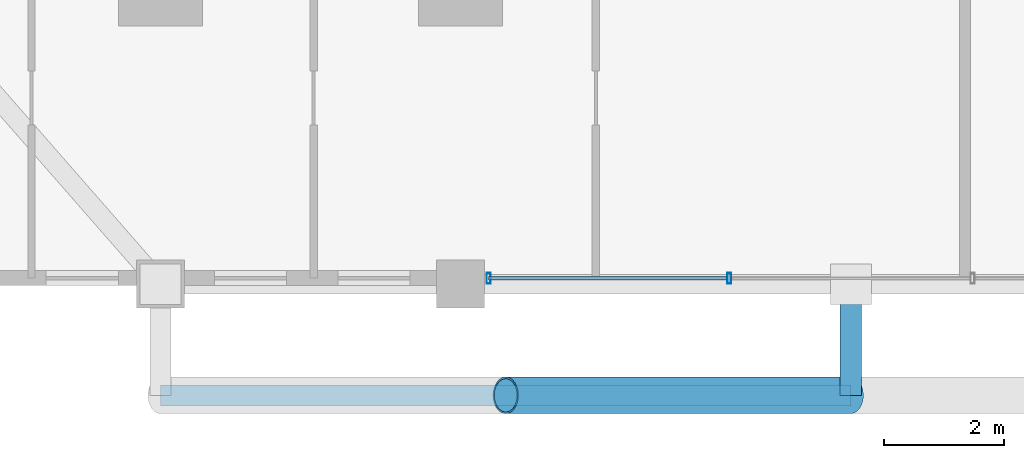
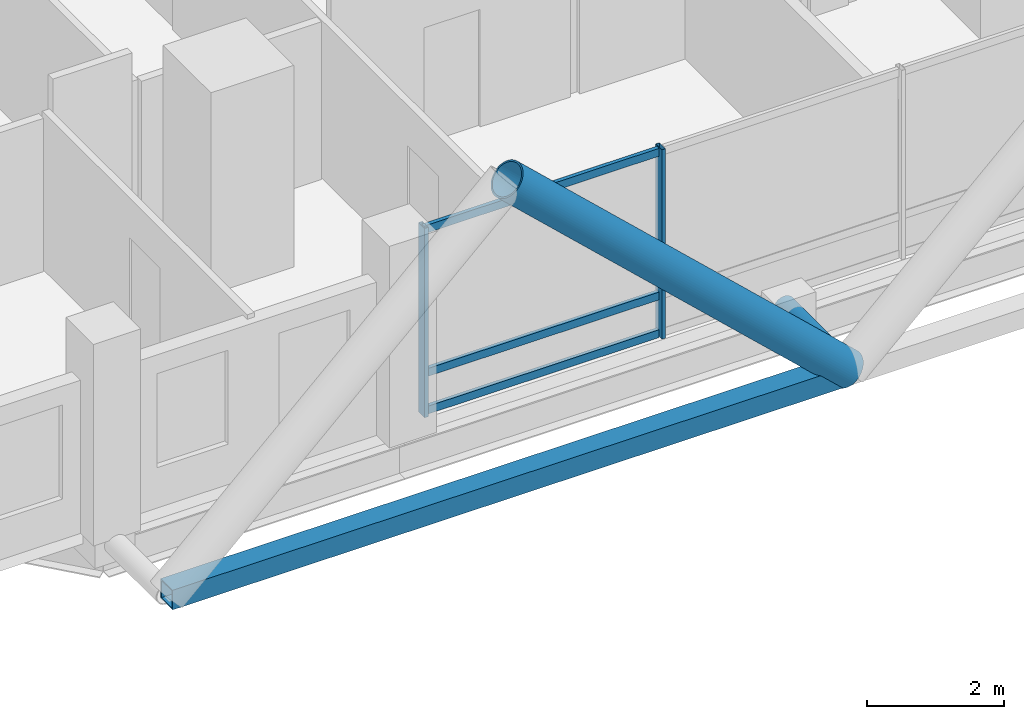
# One storey, part 2 of 27: 8 members, 1 element without a shape of its own.
"""IFC4 building model written with IfcOpenShell, lengths in metres."""

from ifc_helpers import new_model, si_unit, direction, frame, origin, origin_2d, place, context, subcontext, project, spatial, hollow_rectangle, hollow_circle, extrude, material, layer, layer_set, material_profile, profile_set, type_object, element, aggregate, save


model = new_model("IFC4")

# Units and contexts
model_context = context("Model", 3, precision=1e-05, world=origin(), true_north=direction((0.0, 1.0)))
body_context = subcontext(model_context, "Body", "Model", "MODEL_VIEW")
ifc_project = project(units=[si_unit("LENGTHUNIT", "METRE"), si_unit("AREAUNIT", "SQUARE_METRE"), si_unit("VOLUMEUNIT", "CUBIC_METRE"), si_unit("PLANEANGLEUNIT", "RADIAN"), si_unit("MASSUNIT", "GRAM", prefix="KILO")], contexts=[model_context])

# Site, building, storey
site_placement = place(None, origin())
site = spatial("IfcSite", under=ifc_project, at=site_placement, CompositionType="ELEMENT")
building_placement = place(site_placement, origin())
building = spatial("IfcBuilding", under=site, at=building_placement, Name="Barlavira Tower and Art Museum", CompositionType="ELEMENT")
storey_placement = place(building_placement, frame((0.0, 0.0, 50.39990234375)))
storey = spatial("IfcBuildingStorey", under=building, at=storey_placement, Name="L11", CompositionType="ELEMENT", Elevation=50.39990234375)

# Curtain wall, members
ifc_material_1 = material(Name="Low-iron coastal laminated glass", Category="glass")
ifc_layer = layer(ifc_material_1, 0.179931640625, Name="Low-iron coastal laminated glass")
ifc_layer_set = layer_set([ifc_layer], Name="Low-iron coastal laminated glass")
curtain_wall_type = type_object("IfcCurtainWallType", Name="Pale-Metal Unitised Curtain Wall Zone 1", PredefinedType="NOTDEFINED", material=ifc_layer_set)
curtain_wall_placement = place(storey_placement, origin())
curtain_wall = element("IfcCurtainWall", 1, at=curtain_wall_placement, inside=storey, type_object=curtain_wall_type, Name="L11 Curtain Wall CW1-L11-S-B3", PredefinedType="NOTDEFINED")
ifc_material_2 = material(Name="Pale anodised aluminium", Category="aluminium")
ifc_material_profile_1 = material_profile(ifc_material_2, hollow_rectangle(XDim=0.06494140625, YDim=0.179931640625, WallThickness=0.00390625, at=origin_2d()), Name="ALU-MULL 65x180x4")
ifc_profile_set_1 = profile_set([ifc_material_profile_1], Name="Pale anodised aluminium")
member_type_1 = type_object("IfcMemberType", Name="Curtain Wall Pale-Metal Mullion 65x180", PredefinedType="MULLION", material=ifc_profile_set_1)
member_1_placement = place(storey_placement, frame((-6.034912109375, -24.89990234375, 0.0), z_axis=(0.0, 0.0, 1.0), x_axis=(1.0, 0.0, 0.0)))
member_1 = element("IfcMember", 2, at=member_1_placement, type_object=member_type_1, Name="CW1-L11-S-B3 Mullion 0", PredefinedType="MULLION", context=body_context, shape_type="SweptSolid", body=[
    extrude(hollow_rectangle(XDim=0.06494140625, YDim=0.179931640625, WallThickness=0.00390625, at=origin_2d()), origin(), (0.0, 0.0, 1.0), 3.380126953125),
])
member_2_placement = place(storey_placement, frame((-2.026611328125, -24.89990234375, 0.0), z_axis=(0.0, 0.0, 1.0), x_axis=(1.0, 0.0, 0.0)))
member_2 = element("IfcMember", 3, at=member_2_placement, type_object=member_type_1, Name="CW1-L11-S-B3 Mullion 1", PredefinedType="MULLION", context=body_context, shape_type="SweptSolid", body=[
    extrude(hollow_rectangle(XDim=0.06494140625, YDim=0.179931640625, WallThickness=0.00390625, at=origin_2d()), origin(), (0.0, 0.0, 1.0), 3.380126953125),
])
ifc_material_profile_2 = material_profile(ifc_material_2, hollow_rectangle(XDim=0.06494140625, YDim=0.139892578125, WallThickness=0.00390625, at=origin_2d()), Name="ALU-TRAN 65x140x4")
ifc_profile_set_2 = profile_set([ifc_material_profile_2], Name="Pale anodised aluminium")
member_type_2 = type_object("IfcMemberType", Name="Curtain Wall Pale-Metal Transom 65x140", PredefinedType="USERDEFINED", material=ifc_profile_set_2)
member_3_placement = place(storey_placement, frame((-6.034912109375, -24.89990234375, 0.070068359375), z_axis=(1.0, 0.0, 0.0), x_axis=(0.0, 1.0, 0.0)))
member_3 = element("IfcMember", 4, at=member_3_placement, type_object=member_type_2, Name="CW1-L11-S-B3 Transom 0.1", ObjectType="TRANSOM", PredefinedType="USERDEFINED", context=body_context, shape_type="SweptSolid", body=[
    extrude(hollow_rectangle(XDim=0.06494140625, YDim=0.139892578125, WallThickness=0.00390625, at=origin_2d()), origin(), (0.0, 0.0, 1.0), 3.963134765625),
])
member_4_placement = place(storey_placement, frame((-6.034912109375, -24.89990234375, 0.744140625), z_axis=(1.0, 0.0, 0.0), x_axis=(0.0, 1.0, 0.0)))
member_4 = element("IfcMember", 5, at=member_4_placement, type_object=member_type_2, Name="CW1-L11-S-B3 Transom 0.2", ObjectType="TRANSOM", PredefinedType="USERDEFINED", context=body_context, shape_type="SweptSolid", body=[
    extrude(hollow_rectangle(XDim=0.06494140625, YDim=0.139892578125, WallThickness=0.00390625, at=origin_2d()), origin(), (0.0, 0.0, 1.0), 3.963134765625),
])
member_5_placement = place(storey_placement, frame((-6.034912109375, -24.89990234375, 3.31005859375), z_axis=(1.0, 0.0, 0.0), x_axis=(0.0, 1.0, 0.0)))
member_5 = element("IfcMember", 6, at=member_5_placement, type_object=member_type_2, Name="CW1-L11-S-B3 Transom 0.3", ObjectType="TRANSOM", PredefinedType="USERDEFINED", context=body_context, shape_type="SweptSolid", body=[
    extrude(hollow_rectangle(XDim=0.06494140625, YDim=0.139892578125, WallThickness=0.00390625, at=origin_2d()), origin(), (0.0, 0.0, 1.0), 3.963134765625),
])
aggregate(curtain_wall, [member_1, member_2, member_3, member_4, member_5])

# Members
ifc_material_3 = material(Name="Steel S355", Category="steel")
ifc_material_profile_3 = material_profile(ifc_material_3, hollow_circle(Radius=0.304931640625, WallThickness=0.028076171875, at=origin_2d()), Name="CHS 610.0x28.0")
ifc_profile_set_3 = profile_set([ifc_material_profile_3], Name="Steel S355")
member_type_3 = type_object("IfcMemberType", Name="Pale-Metal Exoskeleton Diagrid Tube CHS 610x28 Steel S355", PredefinedType="BRACE", material=ifc_profile_set_3)
member_6_placement = place(storey_placement, frame((0.0, -26.85009765625, -0.119873046875), z_axis=(-0.728950095515, 0.0, 0.684566839869), x_axis=(0.0, -1.0, 0.0)))
element("IfcMember", 7, at=member_6_placement, inside=storey, type_object=member_type_3, Name="L11 Exoskeleton Diagrid Tube S", PredefinedType="BRACE", context=body_context, shape_type="SweptSolid", body=[
    extrude(hollow_circle(Radius=0.304931640625, WallThickness=0.028076171875, at=origin_2d()), origin(), (0.0, 0.0, 1.0), 7.887939453125),
])
ifc_material_profile_4 = material_profile(ifc_material_3, hollow_rectangle(XDim=0.35009765625, YDim=0.35009765625, WallThickness=0.02001953125, at=origin_2d()), Name="SHS 350x350x20.0")
ifc_profile_set_4 = profile_set([ifc_material_profile_4], Name="Steel S355")
member_type_4 = type_object("IfcMemberType", Name="Pale-Metal Exoskeleton Ring Strut SHS 350x350x20 Steel S355", PredefinedType="STRUT", material=ifc_profile_set_4)
member_7_placement = place(storey_placement, frame((-11.5, -26.85009765625, -0.119873046875), z_axis=(1.0, 0.0, 0.0), x_axis=(0.0, 1.0, 0.0)))
element("IfcMember", 8, at=member_7_placement, inside=storey, type_object=member_type_4, Name="L11 Exoskeleton Ring Strut S", PredefinedType="STRUT", context=body_context, shape_type="SweptSolid", body=[
    extrude(hollow_rectangle(XDim=0.35009765625, YDim=0.35009765625, WallThickness=0.02001953125, at=origin_2d()), origin(), (0.0, 0.0, 1.0), 11.5),
])
ifc_material_profile_5 = material_profile(ifc_material_3, hollow_circle(Radius=0.177734375, WallThickness=0.01611328125, at=origin_2d()), Name="CHS 355.6x16.0")
ifc_profile_set_5 = profile_set([ifc_material_profile_5], Name="Steel S355")
member_type_5 = type_object("IfcMemberType", Name="Pale-Metal Exoskeleton Tie Strut CHS 356x16 Steel S355", PredefinedType="STRUT", material=ifc_profile_set_5)
member_8_placement = place(storey_placement, frame((0.0, -26.85009765625, -0.119873046875), z_axis=(0.0, 1.0, 0.0), x_axis=(-1.0, 0.0, 0.0)))
element("IfcMember", 9, at=member_8_placement, inside=storey, type_object=member_type_5, Name="L11 Exoskeleton Tie Strut S2", PredefinedType="STRUT", context=body_context, shape_type="SweptSolid", body=[
    extrude(hollow_circle(Radius=0.177734375, WallThickness=0.01611328125, at=origin_2d()), origin(), (0.0, 0.0, 1.0), 1.85009765625),
])

save(model, "model.ifc")
